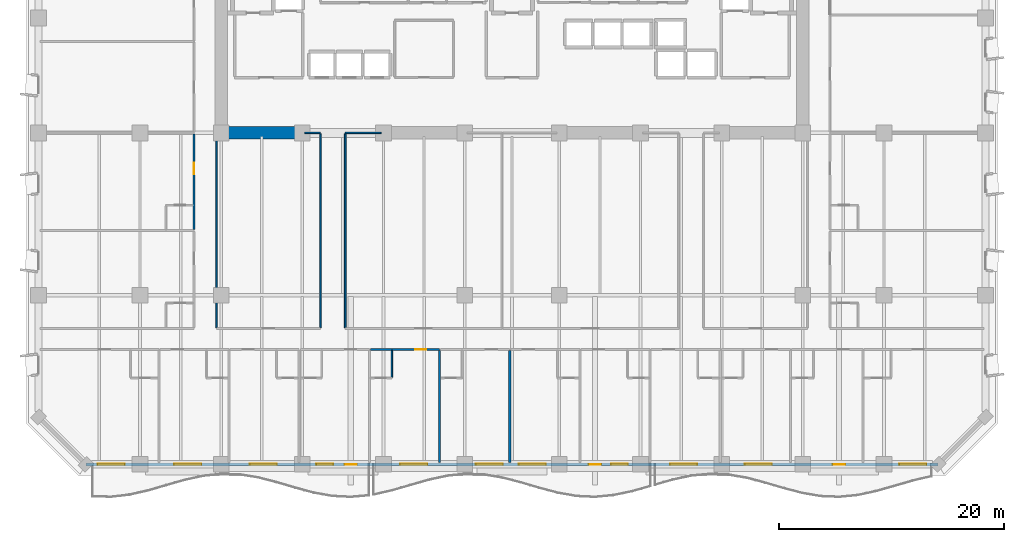
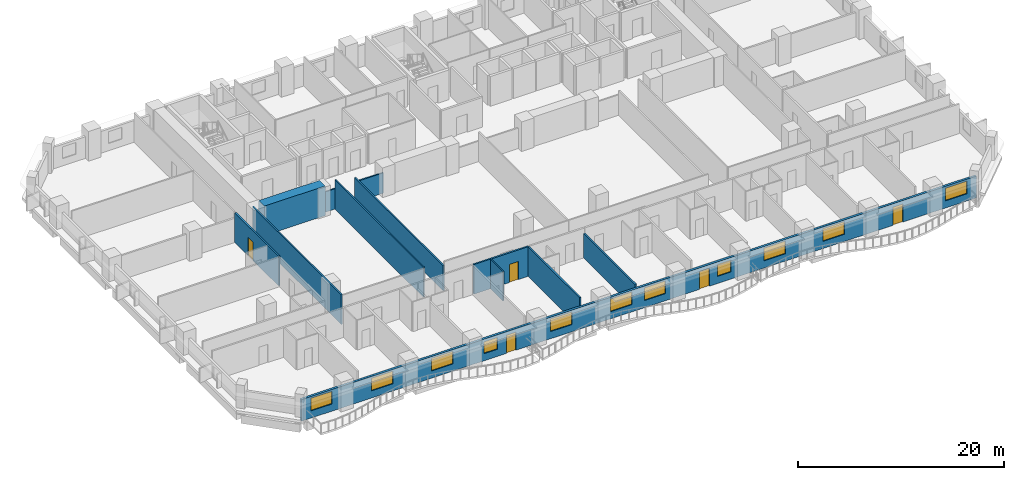
# One storey, part 5 of 15: 12 walls, 11 windows, 5 doors, 16 openings.
"""IFC4 building model written with IfcOpenShell, lengths in metres."""

from ifc_helpers import new_model, si_unit, direction, frame, frame_2d, origin, place, context, subcontext, project, spatial, rectangle, extrude, material, layer, layer_set, type_object, element, fill, save


model = new_model("IFC4")

# Units and contexts
model_context = context("Model", 3, precision=1e-05, world=origin(), true_north=direction((0.0, 1.0)))
body_context = subcontext(model_context, "Body", "Model", "MODEL_VIEW")
ifc_project = project(units=[si_unit("LENGTHUNIT", "METRE"), si_unit("AREAUNIT", "SQUARE_METRE"), si_unit("VOLUMEUNIT", "CUBIC_METRE"), si_unit("PLANEANGLEUNIT", "RADIAN"), si_unit("MASSUNIT", "GRAM", prefix="KILO")], contexts=[model_context])

# Site, building, storey
site_placement = place(None, origin())
site = spatial("IfcSite", under=ifc_project, at=site_placement, CompositionType="ELEMENT")
building_placement = place(site_placement, origin())
building = spatial("IfcBuilding", under=site, at=building_placement, Name="Kaelvorn Grand Hotel", CompositionType="ELEMENT")
storey_placement = place(building_placement, frame((0.0, 0.0, 38.89990234375)))
storey = spatial("IfcBuildingStorey", under=building, at=storey_placement, Name="L07", CompositionType="ELEMENT", Elevation=38.89990234375)

# Wall
ifc_material_1 = material(Name="Concrete C80/95", Category="concrete")
ifc_layer_1 = layer(ifc_material_1, 1.10009765625)
ifc_layer_set_1 = layer_set([ifc_layer_1], Name="Concrete C80/95")
wall_type_1 = type_object("IfcWallType", Name="WL-CORE-1100-C80", PredefinedType="SHEAR", material=ifc_layer_set_1)
wall_1_placement = place(storey_placement, frame((16.7548828125, 29.39990234375, 0.0), z_axis=(0.0, 0.0, 1.0), x_axis=(1.0, 0.0, 0.0)))
element("IfcWall", 1, at=wall_1_placement, inside=storey, type_object=wall_type_1, Name="L07 Rear-Core Coupled Shear Pier S1", PredefinedType="SHEAR", context=body_context, shape_type="SweptSolid", body=[
    extrude(rectangle(XDim=6.84521484375, YDim=1.10009765625, at=frame_2d((3.422607421875, 0.0))), origin(), (0.0, 0.0, 1.0), 3.510009765625),
])

# Wall, openings, doors, windows
ifc_material_2 = material(Name="Concrete C40/50", Category="concrete")
ifc_layer_2 = layer(ifc_material_2, 0.260009765625)
ifc_layer_set_2 = layer_set([ifc_layer_2], Name="Concrete C40/50")
wall_type_2 = type_object("IfcWallType", Name="WL-EXT-260-C40", PredefinedType="SOLIDWALL", material=ifc_layer_set_2)
wall_2_placement = place(storey_placement, frame((4.199951171875, 0.0, 0.0), z_axis=(0.0, 0.0, 1.0), x_axis=(1.0, 0.0, 0.0)))
wall_2 = element("IfcWall", 2, at=wall_2_placement, inside=storey, type_object=wall_type_2, Name="L07 Exterior Architectural Concrete Wall 01", PredefinedType="SOLIDWALL", context=body_context, shape_type="SweptSolid", body=[
    extrude(rectangle(XDim=75.60009765625, YDim=0.260009765625, at=frame_2d((37.800048828125, 0.0))), origin(), (0.0, 0.0, 1.0), 2.56005859375),
])
opening_1_placement = place(wall_2_placement, frame((22.94775390625, 0.0, 0.0)))
opening_1 = element("IfcOpeningElement", 3, at=opening_1_placement, cuts=wall_2, Name="Opening DE2", PredefinedType="OPENING", context=body_context, shape_type="SweptSolid", body=[
    extrude(rectangle(XDim=1.10009765625, YDim=2.14990234375, at=frame_2d((0.550048828125, 1.074951171875))), frame((0.0, 0.14013671875, 0.0), z_axis=(0.0, -1.0, 0.0), x_axis=(1.0, 0.0, 0.0)), (0.0, 0.0, 1.0), 0.280029296875),
])
opening_2_placement = place(wall_2_placement, frame((44.610107421875, 0.0, 0.0)))
opening_2 = element("IfcOpeningElement", 4, at=opening_2_placement, cuts=wall_2, Name="Opening DE2", PredefinedType="OPENING", context=body_context, shape_type="SweptSolid", body=[
    extrude(rectangle(XDim=1.10009765625, YDim=2.14990234375, at=frame_2d((0.550048828125, 1.074951171875))), frame((0.0, 0.14013671875, 0.0), z_axis=(0.0, -1.0, 0.0), x_axis=(1.0, 0.0, 0.0)), (0.0, 0.0, 1.0), 0.280029296875),
])
opening_3_placement = place(wall_2_placement, frame((66.272216796875, 0.0, 0.0)))
opening_3 = element("IfcOpeningElement", 5, at=opening_3_placement, cuts=wall_2, Name="Opening DE2", PredefinedType="OPENING", context=body_context, shape_type="SweptSolid", body=[
    extrude(rectangle(XDim=1.10009765625, YDim=2.14990234375, at=frame_2d((0.550048828125, 1.074951171875))), frame((0.0, 0.14013671875, 0.0), z_axis=(0.0, -1.0, 0.0), x_axis=(1.0, 0.0, 0.0)), (0.0, 0.0, 1.0), 0.280029296875),
])
opening_4_placement = place(wall_2_placement, frame((1.034912109375, 0.0, 0.85009765625)))
opening_4 = element("IfcOpeningElement", 6, at=opening_4_placement, cuts=wall_2, Name="Opening W6", PredefinedType="OPENING", context=body_context, shape_type="SweptSolid", body=[
    extrude(rectangle(XDim=2.39990234375, YDim=1.5, at=frame_2d((1.199951171875, 0.75))), frame((0.0, 0.14013671875, 0.0), z_axis=(0.0, -1.0, 0.0), x_axis=(1.0, 0.0, 0.0)), (0.0, 0.0, 1.0), 0.280029296875),
])
opening_5_placement = place(wall_2_placement, frame((7.83740234375, 0.0, 0.85009765625)))
opening_5 = element("IfcOpeningElement", 7, at=opening_5_placement, cuts=wall_2, Name="Opening W6", PredefinedType="OPENING", context=body_context, shape_type="SweptSolid", body=[
    extrude(rectangle(XDim=2.39990234375, YDim=1.5, at=frame_2d((1.199951171875, 0.75))), frame((0.0, 0.14013671875, 0.0), z_axis=(0.0, -1.0, 0.0), x_axis=(1.0, 0.0, 0.0)), (0.0, 0.0, 1.0), 0.280029296875),
])
opening_6_placement = place(wall_2_placement, frame((14.550048828125, 0.0, 0.85009765625)))
opening_6 = element("IfcOpeningElement", 8, at=opening_6_placement, cuts=wall_2, Name="Opening W6", PredefinedType="OPENING", context=body_context, shape_type="SweptSolid", body=[
    extrude(rectangle(XDim=2.39990234375, YDim=1.5, at=frame_2d((1.199951171875, 0.75))), frame((0.0, 0.14013671875, 0.0), z_axis=(0.0, -1.0, 0.0), x_axis=(1.0, 0.0, 0.0)), (0.0, 0.0, 1.0), 0.280029296875),
])
opening_7_placement = place(wall_2_placement, frame((20.43896484375, 0.0, 0.85009765625)))
opening_7 = element("IfcOpeningElement", 9, at=opening_7_placement, cuts=wall_2, Name="Opening W10", PredefinedType="OPENING", context=body_context, shape_type="SweptSolid", body=[
    extrude(rectangle(XDim=1.5, YDim=1.39990234375, at=frame_2d((0.75, 0.699951171875))), frame((0.0, 0.14013671875, 0.0), z_axis=(0.0, -1.0, 0.0), x_axis=(1.0, 0.0, 0.0)), (0.0, 0.0, 1.0), 0.280029296875),
])
opening_8_placement = place(wall_2_placement, frame((27.886962890625, 0.0, 0.85009765625)))
opening_8 = element("IfcOpeningElement", 10, at=opening_8_placement, cuts=wall_2, Name="Opening W6", PredefinedType="OPENING", context=body_context, shape_type="SweptSolid", body=[
    extrude(rectangle(XDim=2.39990234375, YDim=1.5, at=frame_2d((1.199951171875, 0.75))), frame((0.0, 0.14013671875, 0.0), z_axis=(0.0, -1.0, 0.0), x_axis=(1.0, 0.0, 0.0)), (0.0, 0.0, 1.0), 0.280029296875),
])
opening_9_placement = place(wall_2_placement, frame((34.599609375, 0.0, 0.85009765625)))
opening_9 = element("IfcOpeningElement", 11, at=opening_9_placement, cuts=wall_2, Name="Opening W6", PredefinedType="OPENING", context=body_context, shape_type="SweptSolid", body=[
    extrude(rectangle(XDim=2.39990234375, YDim=1.5, at=frame_2d((1.199951171875, 0.75))), frame((0.0, 0.14013671875, 0.0), z_axis=(0.0, -1.0, 0.0), x_axis=(1.0, 0.0, 0.0)), (0.0, 0.0, 1.0), 0.280029296875),
])
opening_10_placement = place(wall_2_placement, frame((38.3994140625, 0.0, 0.85009765625)))
opening_10 = element("IfcOpeningElement", 12, at=opening_10_placement, cuts=wall_2, Name="Opening W6", PredefinedType="OPENING", context=body_context, shape_type="SweptSolid", body=[
    extrude(rectangle(XDim=2.39990234375, YDim=1.5, at=frame_2d((1.199951171875, 0.75))), frame((0.0, 0.14013671875, 0.0), z_axis=(0.0, -1.0, 0.0), x_axis=(1.0, 0.0, 0.0)), (0.0, 0.0, 1.0), 0.280029296875),
])
opening_11_placement = place(wall_2_placement, frame((46.590087890625, 0.0, 0.85009765625)))
opening_11 = element("IfcOpeningElement", 13, at=opening_11_placement, cuts=wall_2, Name="Opening W10", PredefinedType="OPENING", context=body_context, shape_type="SweptSolid", body=[
    extrude(rectangle(XDim=1.5, YDim=1.39990234375, at=frame_2d((0.75, 0.699951171875))), frame((0.0, 0.14013671875, 0.0), z_axis=(0.0, -1.0, 0.0), x_axis=(1.0, 0.0, 0.0)), (0.0, 0.0, 1.0), 0.280029296875),
])
opening_12_placement = place(wall_2_placement, frame((51.824462890625, 0.0, 0.85009765625)))
opening_12 = element("IfcOpeningElement", 14, at=opening_12_placement, cuts=wall_2, Name="Opening W6", PredefinedType="OPENING", context=body_context, shape_type="SweptSolid", body=[
    extrude(rectangle(XDim=2.39990234375, YDim=1.5, at=frame_2d((1.199951171875, 0.75))), frame((0.0, 0.14013671875, 0.0), z_axis=(0.0, -1.0, 0.0), x_axis=(1.0, 0.0, 0.0)), (0.0, 0.0, 1.0), 0.280029296875),
])
opening_13_placement = place(wall_2_placement, frame((58.449462890625, 0.0, 0.85009765625)))
opening_13 = element("IfcOpeningElement", 15, at=opening_13_placement, cuts=wall_2, Name="Opening W6", PredefinedType="OPENING", context=body_context, shape_type="SweptSolid", body=[
    extrude(rectangle(XDim=2.39990234375, YDim=1.5, at=frame_2d((1.199951171875, 0.75))), frame((0.0, 0.14013671875, 0.0), z_axis=(0.0, -1.0, 0.0), x_axis=(1.0, 0.0, 0.0)), (0.0, 0.0, 1.0), 0.280029296875),
])
opening_14_placement = place(wall_2_placement, frame((72.1650390625, 0.0, 0.85009765625)))
opening_14 = element("IfcOpeningElement", 16, at=opening_14_placement, cuts=wall_2, Name="Opening W6", PredefinedType="OPENING", context=body_context, shape_type="SweptSolid", body=[
    extrude(rectangle(XDim=2.39990234375, YDim=1.5, at=frame_2d((1.199951171875, 0.75))), frame((0.0, 0.14013671875, 0.0), z_axis=(0.0, -1.0, 0.0), x_axis=(1.0, 0.0, 0.0)), (0.0, 0.0, 1.0), 0.280029296875),
])
ifc_material_3 = material(Name="Anodised Aluminium", Category="aluminium")
door_type_1 = type_object("IfcDoorType", Name="DR-EXT-BALC-1100x2150", OperationType="NOTDEFINED", PredefinedType="DOOR", material=ifc_material_3)
door_1_placement = place(opening_1_placement, origin())
door_1 = element("IfcDoor", 17, at=door_1_placement, inside=storey, type_object=door_type_1, Name="L07 Scalloped Balcony Glazed Door DE2-1", OperationType="SINGLE_SWING_RIGHT", OverallHeight=2.14990234375, OverallWidth=1.10009765625, PredefinedType="DOOR", context=body_context, shape_type="SweptSolid", body=[
    extrude(rectangle(XDim=1.10009765625, YDim=2.14990234375, at=frame_2d((0.550048828125, 1.074951171875))), frame((0.0, 0.02490234375, 0.0), z_axis=(0.0, -1.0, 0.0), x_axis=(1.0, 0.0, 0.0)), (0.0, 0.0, 1.0), 0.050048828125),
])
fill(opening_1, door_1)
door_2_placement = place(opening_2_placement, origin())
door_2 = element("IfcDoor", 18, at=door_2_placement, inside=storey, type_object=door_type_1, Name="L07 Scalloped Balcony Glazed Door DE2-2", OperationType="SINGLE_SWING_LEFT", OverallHeight=2.14990234375, OverallWidth=1.10009765625, PredefinedType="DOOR", context=body_context, shape_type="SweptSolid", body=[
    extrude(rectangle(XDim=1.10009765625, YDim=2.14990234375, at=frame_2d((0.550048828125, 1.074951171875))), frame((0.0, 0.02490234375, 0.0), z_axis=(0.0, -1.0, 0.0), x_axis=(1.0, 0.0, 0.0)), (0.0, 0.0, 1.0), 0.050048828125),
])
fill(opening_2, door_2)
door_3_placement = place(opening_3_placement, origin())
door_3 = element("IfcDoor", 19, at=door_3_placement, inside=storey, type_object=door_type_1, Name="L07 Scalloped Balcony Glazed Door DE2-3", OperationType="SINGLE_SWING_RIGHT", OverallHeight=2.14990234375, OverallWidth=1.10009765625, PredefinedType="DOOR", context=body_context, shape_type="SweptSolid", body=[
    extrude(rectangle(XDim=1.10009765625, YDim=2.14990234375, at=frame_2d((0.550048828125, 1.074951171875))), frame((0.0, 0.02490234375, 0.0), z_axis=(0.0, -1.0, 0.0), x_axis=(1.0, 0.0, 0.0)), (0.0, 0.0, 1.0), 0.050048828125),
])
fill(opening_3, door_3)
ifc_material_4 = material(Name="Laminated Low-E Glass", Category="glass")
window_type_1 = type_object("IfcWindowType", Name="WIN-COR-1500x1400", PartitioningType="SINGLE_PANEL", PredefinedType="WINDOW", material=ifc_material_4)
window_1_placement = place(opening_7_placement, origin())
window_1 = element("IfcWindow", 20, at=window_1_placement, inside=storey, type_object=window_type_1, Name="L07 South Guestroom Ribbon Window SR04", OverallHeight=1.39990234375, OverallWidth=1.5, PartitioningType="SINGLE_PANEL", PredefinedType="WINDOW", context=body_context, shape_type="SweptSolid", body=[
    extrude(rectangle(XDim=1.5, YDim=1.39990234375, at=frame_2d((0.75, 0.699951171875))), frame((0.0, 0.030029296875, 0.0), z_axis=(0.0, -1.0, 0.0), x_axis=(1.0, 0.0, 0.0)), (0.0, 0.0, 1.0), 0.06005859375),
])
fill(opening_7, window_1)
window_2_placement = place(opening_11_placement, origin())
window_2 = element("IfcWindow", 21, at=window_2_placement, inside=storey, type_object=window_type_1, Name="L07 South Guestroom Ribbon Window SR08", OverallHeight=1.39990234375, OverallWidth=1.5, PartitioningType="SINGLE_PANEL", PredefinedType="WINDOW", context=body_context, shape_type="SweptSolid", body=[
    extrude(rectangle(XDim=1.5, YDim=1.39990234375, at=frame_2d((0.75, 0.699951171875))), frame((0.0, 0.030029296875, 0.0), z_axis=(0.0, -1.0, 0.0), x_axis=(1.0, 0.0, 0.0)), (0.0, 0.0, 1.0), 0.06005859375),
])
fill(opening_11, window_2)
window_type_2 = type_object("IfcWindowType", Name="WIN-NTH-2400x1500", PartitioningType="SINGLE_PANEL", PredefinedType="WINDOW", material=ifc_material_4)
window_3_placement = place(opening_4_placement, origin())
window_3 = element("IfcWindow", 22, at=window_3_placement, inside=storey, type_object=window_type_2, Name="L07 South Guestroom Ribbon Window SR01", OverallHeight=1.5, OverallWidth=2.39990234375, PartitioningType="SINGLE_PANEL", PredefinedType="WINDOW", context=body_context, shape_type="SweptSolid", body=[
    extrude(rectangle(XDim=2.39990234375, YDim=1.5, at=frame_2d((1.199951171875, 0.75))), frame((0.0, 0.030029296875, 0.0), z_axis=(0.0, -1.0, 0.0), x_axis=(1.0, 0.0, 0.0)), (0.0, 0.0, 1.0), 0.06005859375),
])
fill(opening_4, window_3)
window_4_placement = place(opening_5_placement, origin())
window_4 = element("IfcWindow", 23, at=window_4_placement, inside=storey, type_object=window_type_2, Name="L07 South Guestroom Ribbon Window SR02", OverallHeight=1.5, OverallWidth=2.39990234375, PartitioningType="SINGLE_PANEL", PredefinedType="WINDOW", context=body_context, shape_type="SweptSolid", body=[
    extrude(rectangle(XDim=2.39990234375, YDim=1.5, at=frame_2d((1.199951171875, 0.75))), frame((0.0, 0.030029296875, 0.0), z_axis=(0.0, -1.0, 0.0), x_axis=(1.0, 0.0, 0.0)), (0.0, 0.0, 1.0), 0.06005859375),
])
fill(opening_5, window_4)
window_5_placement = place(opening_6_placement, origin())
window_5 = element("IfcWindow", 24, at=window_5_placement, inside=storey, type_object=window_type_2, Name="L07 South Guestroom Ribbon Window SR03", OverallHeight=1.5, OverallWidth=2.39990234375, PartitioningType="SINGLE_PANEL", PredefinedType="WINDOW", context=body_context, shape_type="SweptSolid", body=[
    extrude(rectangle(XDim=2.39990234375, YDim=1.5, at=frame_2d((1.199951171875, 0.75))), frame((0.0, 0.030029296875, 0.0), z_axis=(0.0, -1.0, 0.0), x_axis=(1.0, 0.0, 0.0)), (0.0, 0.0, 1.0), 0.06005859375),
])
fill(opening_6, window_5)
window_6_placement = place(opening_8_placement, origin())
window_6 = element("IfcWindow", 25, at=window_6_placement, inside=storey, type_object=window_type_2, Name="L07 South Guestroom Ribbon Window SR05", OverallHeight=1.5, OverallWidth=2.39990234375, PartitioningType="SINGLE_PANEL", PredefinedType="WINDOW", context=body_context, shape_type="SweptSolid", body=[
    extrude(rectangle(XDim=2.39990234375, YDim=1.5, at=frame_2d((1.199951171875, 0.75))), frame((0.0, 0.030029296875, 0.0), z_axis=(0.0, -1.0, 0.0), x_axis=(1.0, 0.0, 0.0)), (0.0, 0.0, 1.0), 0.06005859375),
])
fill(opening_8, window_6)
window_7_placement = place(opening_9_placement, origin())
window_7 = element("IfcWindow", 26, at=window_7_placement, inside=storey, type_object=window_type_2, Name="L07 South Guestroom Ribbon Window SR06", OverallHeight=1.5, OverallWidth=2.39990234375, PartitioningType="SINGLE_PANEL", PredefinedType="WINDOW", context=body_context, shape_type="SweptSolid", body=[
    extrude(rectangle(XDim=2.39990234375, YDim=1.5, at=frame_2d((1.199951171875, 0.75))), frame((0.0, 0.030029296875, 0.0), z_axis=(0.0, -1.0, 0.0), x_axis=(1.0, 0.0, 0.0)), (0.0, 0.0, 1.0), 0.06005859375),
])
fill(opening_9, window_7)
window_8_placement = place(opening_10_placement, origin())
window_8 = element("IfcWindow", 27, at=window_8_placement, inside=storey, type_object=window_type_2, Name="L07 South Guestroom Ribbon Window SR07", OverallHeight=1.5, OverallWidth=2.39990234375, PartitioningType="SINGLE_PANEL", PredefinedType="WINDOW", context=body_context, shape_type="SweptSolid", body=[
    extrude(rectangle(XDim=2.39990234375, YDim=1.5, at=frame_2d((1.199951171875, 0.75))), frame((0.0, 0.030029296875, 0.0), z_axis=(0.0, -1.0, 0.0), x_axis=(1.0, 0.0, 0.0)), (0.0, 0.0, 1.0), 0.06005859375),
])
fill(opening_10, window_8)
window_9_placement = place(opening_12_placement, origin())
window_9 = element("IfcWindow", 28, at=window_9_placement, inside=storey, type_object=window_type_2, Name="L07 South Guestroom Ribbon Window SR09", OverallHeight=1.5, OverallWidth=2.39990234375, PartitioningType="SINGLE_PANEL", PredefinedType="WINDOW", context=body_context, shape_type="SweptSolid", body=[
    extrude(rectangle(XDim=2.39990234375, YDim=1.5, at=frame_2d((1.199951171875, 0.75))), frame((0.0, 0.030029296875, 0.0), z_axis=(0.0, -1.0, 0.0), x_axis=(1.0, 0.0, 0.0)), (0.0, 0.0, 1.0), 0.06005859375),
])
fill(opening_12, window_9)
window_10_placement = place(opening_13_placement, origin())
window_10 = element("IfcWindow", 29, at=window_10_placement, inside=storey, type_object=window_type_2, Name="L07 South Guestroom Ribbon Window SR10", OverallHeight=1.5, OverallWidth=2.39990234375, PartitioningType="SINGLE_PANEL", PredefinedType="WINDOW", context=body_context, shape_type="SweptSolid", body=[
    extrude(rectangle(XDim=2.39990234375, YDim=1.5, at=frame_2d((1.199951171875, 0.75))), frame((0.0, 0.030029296875, 0.0), z_axis=(0.0, -1.0, 0.0), x_axis=(1.0, 0.0, 0.0)), (0.0, 0.0, 1.0), 0.06005859375),
])
fill(opening_13, window_10)
window_11_placement = place(opening_14_placement, origin())
window_11 = element("IfcWindow", 30, at=window_11_placement, inside=storey, type_object=window_type_2, Name="L07 South Guestroom Ribbon Window SR11", OverallHeight=1.5, OverallWidth=2.39990234375, PartitioningType="SINGLE_PANEL", PredefinedType="WINDOW", context=body_context, shape_type="SweptSolid", body=[
    extrude(rectangle(XDim=2.39990234375, YDim=1.5, at=frame_2d((1.199951171875, 0.75))), frame((0.0, 0.030029296875, 0.0), z_axis=(0.0, -1.0, 0.0), x_axis=(1.0, 0.0, 0.0)), (0.0, 0.0, 1.0), 0.06005859375),
])
fill(opening_14, window_11)

# Walls
ifc_material_5 = material(Name="Moisture-Resistant Tile & Stud Board")
ifc_layer_3 = layer(ifc_material_5, 0.125)
ifc_layer_set_3 = layer_set([ifc_layer_3], Name="Moisture-Resistant Tile & Stud Board")
wall_type_3 = type_object("IfcWallType", Name="WL-PART-125-WET", PredefinedType="PARTITIONING", material=ifc_layer_set_3)
wall_3_placement = place(storey_placement, frame((31.349609375, 7.717529296875, 0.0), z_axis=(0.0, 0.0, 1.0), x_axis=(0.0, 1.0, 0.0)))
element("IfcWall", 31, at=wall_3_placement, inside=storey, type_object=wall_type_3, Name="L07 En-suite Bathroom L07-05 E Partition", PredefinedType="PARTITIONING", context=body_context, shape_type="SweptSolid", body=[
    extrude(rectangle(XDim=2.387451171875, YDim=0.125, at=frame_2d((1.19384765625, 0.0))), origin(), (0.0, 0.0, 1.0), 3.510009765625),
])
ifc_material_6 = material(Name="Acoustic Gypsum & Stud Partition")
ifc_layer_4 = layer(ifc_material_6, 0.14990234375)
ifc_layer_set_4 = layer_set([ifc_layer_4], Name="Acoustic Gypsum & Stud Partition")
wall_type_4 = type_object("IfcWallType", Name="WL-PART-150-EI60", PredefinedType="PARTITIONING", material=ifc_layer_set_4)
wall_4_placement = place(storey_placement, frame((23.610107421875, 29.39990234375, 0.0), z_axis=(0.0, 0.0, 1.0), x_axis=(1.0, 0.0, 0.0)))
element("IfcWall", 32, at=wall_4_placement, inside=storey, type_object=wall_type_4, Name="L07 Private Dining Restaurant N Partition", PredefinedType="PARTITIONING", context=body_context, shape_type="SweptSolid", body=[
    extrude(rectangle(XDim=1.389892578125, YDim=0.14990234375, at=frame_2d((0.69482421875, 0.0))), origin(), (0.0, 0.0, 1.0), 2.41015625),
])
wall_5_placement = place(storey_placement, frame((15.800048828125, 12.1298828125, 0.0), z_axis=(0.0, 0.0, 1.0), x_axis=(0.0, 1.0, 0.0)))
element("IfcWall", 33, at=wall_5_placement, inside=storey, type_object=wall_type_4, Name="L07 Private Dining Restaurant W Partition", PredefinedType="PARTITIONING", context=body_context, shape_type="SweptSolid", body=[
    extrude(rectangle(XDim=17.260009765625, YDim=0.14990234375, at=frame_2d((8.6298828125, 0.0))), origin(), (0.0, 0.0, 1.0), 3.510009765625),
])
wall_6_placement = place(storey_placement, frame((25.0, 12.1298828125, 0.0), z_axis=(0.0, 0.0, 1.0), x_axis=(0.0, 1.0, 0.0)))
element("IfcWall", 34, at=wall_6_placement, inside=storey, type_object=wall_type_4, Name="L07 Private Dining Restaurant E Partition", PredefinedType="PARTITIONING", context=body_context, shape_type="SweptSolid", body=[
    extrude(rectangle(XDim=17.190185546875, YDim=0.14990234375, at=frame_2d((8.59521484375, 0.0))), origin(), (0.0, 0.0, 1.0), 3.510009765625),
])
wall_7_placement = place(storey_placement, frame((27.199951171875, 29.39990234375, 0.0), z_axis=(0.0, 0.0, 1.0), x_axis=(1.0, 0.0, 0.0)))
element("IfcWall", 35, at=wall_7_placement, inside=storey, type_object=wall_type_4, Name="L07 Hospitality Tea Kitchen N Partition (1)", PredefinedType="PARTITIONING", context=body_context, shape_type="SweptSolid", body=[
    extrude(rectangle(XDim=3.18994140625, YDim=0.14990234375, at=frame_2d((1.594970703125, 0.0))), origin(), (0.0, 0.0, 1.0), 2.41015625),
])
wall_8_placement = place(storey_placement, frame((27.199951171875, 12.1298828125, 0.0), z_axis=(0.0, 0.0, 1.0), x_axis=(0.0, 1.0, 0.0)))
element("IfcWall", 36, at=wall_8_placement, inside=storey, type_object=wall_type_4, Name="L07 Hospitality Tea Kitchen W Partition", PredefinedType="PARTITIONING", context=body_context, shape_type="SweptSolid", body=[
    extrude(rectangle(XDim=17.190185546875, YDim=0.14990234375, at=frame_2d((8.59521484375, 0.0))), origin(), (0.0, 0.0, 1.0), 2.97705078125),
])

# Wall, opening, door
ifc_layer_5 = layer(ifc_material_6, 0.179931640625)
ifc_layer_set_5 = layer_set([ifc_layer_5], Name="Acoustic Gypsum & Stud Partition")
wall_type_5 = type_object("IfcWallType", Name="WL-PART-180-EI60", PredefinedType="PARTITIONING", material=ifc_layer_set_5)
wall_9_placement = place(storey_placement, frame((29.444580078125, 10.199951171875, 0.0), z_axis=(0.0, 0.0, 1.0), x_axis=(1.0, 0.0, 0.0)))
wall_9 = element("IfcWall", 37, at=wall_9_placement, inside=storey, type_object=wall_type_5, Name="L07 Deluxe Panoramic Suite L07-05 N Partition", PredefinedType="PARTITIONING", context=body_context, shape_type="SweptSolid", body=[
    extrude(rectangle(XDim=6.129638671875, YDim=0.179931640625, at=frame_2d((3.06494140625, 0.0))), origin(), (0.0, 0.0, 1.0), 3.510009765625),
])
opening_15_placement = place(wall_9_placement, frame((3.96728515625, 0.0, 0.0)))
opening_15 = element("IfcOpeningElement", 38, at=opening_15_placement, cuts=wall_9, Name="Opening DI3", PredefinedType="OPENING", context=body_context, shape_type="SweptSolid", body=[
    extrude(rectangle(XDim=1.0, YDim=2.14990234375, at=frame_2d((0.5, 1.074951171875))), frame((0.0, 0.10009765625, 0.0), z_axis=(0.0, -1.0, 0.0), x_axis=(1.0, 0.0, 0.0)), (0.0, 0.0, 1.0), 0.199951171875),
])
ifc_material_7 = material(Name="Timber Veneer Fire Leaf", Category="wood")
door_type_2 = type_object("IfcDoorType", Name="DR-INT-GUEST-1000x2150", OperationType="NOTDEFINED", PredefinedType="DOOR", material=ifc_material_7)
door_4_placement = place(opening_15_placement, origin())
door_4 = element("IfcDoor", 39, at=door_4_placement, inside=storey, type_object=door_type_2, Name="L07 Deluxe Panoramic Suite L07-05 Door", OperationType="SINGLE_SWING_LEFT", OverallHeight=2.14990234375, OverallWidth=1.0, PredefinedType="DOOR", context=body_context, shape_type="SweptSolid", body=[
    extrude(rectangle(XDim=1.0, YDim=2.14990234375, at=frame_2d((0.5, 1.074951171875))), frame((0.0, 0.02490234375, 0.0), z_axis=(0.0, -1.0, 0.0), x_axis=(1.0, 0.0, 0.0)), (0.0, 0.0, 1.0), 0.050048828125),
])
fill(opening_15, door_4)

# Walls
wall_10_placement = place(storey_placement, frame((35.57421875, 0.14990234375, 0.0), z_axis=(0.0, 0.0, 1.0), x_axis=(0.0, 1.0, 0.0)))
element("IfcWall", 40, at=wall_10_placement, inside=storey, type_object=wall_type_5, Name="L07 Deluxe Panoramic Suite L07-05 E Partition", PredefinedType="PARTITIONING", context=body_context, shape_type="SweptSolid", body=[
    extrude(rectangle(XDim=9.955078125, YDim=0.179931640625, at=frame_2d((4.9775390625, 0.0))), origin(), (0.0, 0.0, 1.0), 3.510009765625),
])
wall_11_placement = place(storey_placement, frame((41.79931640625, 0.14990234375, 0.0), z_axis=(0.0, 0.0, 1.0), x_axis=(0.0, 1.0, 0.0)))
element("IfcWall", 41, at=wall_11_placement, inside=storey, type_object=wall_type_5, Name="L07 Deluxe King Guest Room L07-06 E Partition", PredefinedType="PARTITIONING", context=body_context, shape_type="SweptSolid", body=[
    extrude(rectangle(XDim=9.955078125, YDim=0.179931640625, at=frame_2d((4.9775390625, 0.0))), origin(), (0.0, 0.0, 1.0), 2.89794921875),
])

# Wall, opening, door
wall_12_placement = place(storey_placement, frame((13.800048828125, 20.824951171875, 0.0), z_axis=(0.0, 0.0, 1.0), x_axis=(0.0, 1.0, 0.0)))
wall_12 = element("IfcWall", 42, at=wall_12_placement, inside=storey, type_object=wall_type_5, Name="L07 West Mid-Wing Suite L07-14 E Partition", PredefinedType="PARTITIONING", context=body_context, shape_type="SweptSolid", body=[
    extrude(rectangle(XDim=8.47998046875, YDim=0.179931640625, at=frame_2d((4.239990234375, 0.0))), origin(), (0.0, 0.0, 1.0), 3.510009765625),
])
opening_16_placement = place(wall_12_placement, frame((4.925048828125, 0.0, 0.0)))
opening_16 = element("IfcOpeningElement", 43, at=opening_16_placement, cuts=wall_12, Name="Opening DI3", PredefinedType="OPENING", context=body_context, shape_type="SweptSolid", body=[
    extrude(rectangle(XDim=1.0, YDim=2.14990234375, at=frame_2d((0.5, 1.074951171875))), frame((0.0, 0.10009765625, 0.0), z_axis=(0.0, -1.0, 0.0), x_axis=(1.0, 0.0, 0.0)), (0.0, 0.0, 1.0), 0.199951171875),
])
door_5_placement = place(opening_16_placement, origin())
door_5 = element("IfcDoor", 44, at=door_5_placement, inside=storey, type_object=door_type_2, Name="L07 West Mid-Wing Suite L07-14 Door", OperationType="SINGLE_SWING_LEFT", OverallHeight=2.14990234375, OverallWidth=1.0, PredefinedType="DOOR", context=body_context, shape_type="SweptSolid", body=[
    extrude(rectangle(XDim=1.0, YDim=2.14990234375, at=frame_2d((0.5, 1.074951171875))), frame((0.0, 0.02490234375, 0.0), z_axis=(0.0, -1.0, 0.0), x_axis=(1.0, 0.0, 0.0)), (0.0, 0.0, 1.0), 0.050048828125),
])
fill(opening_16, door_5)

save(model, "model.ifc")
